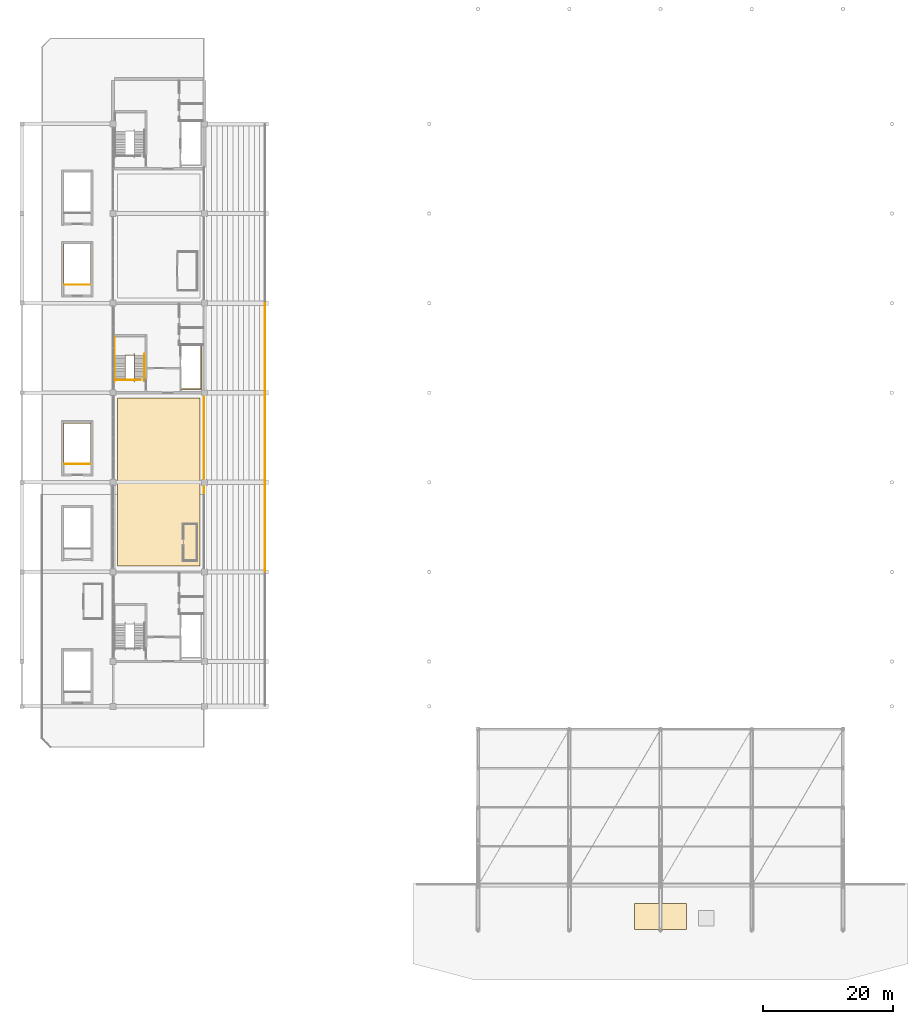
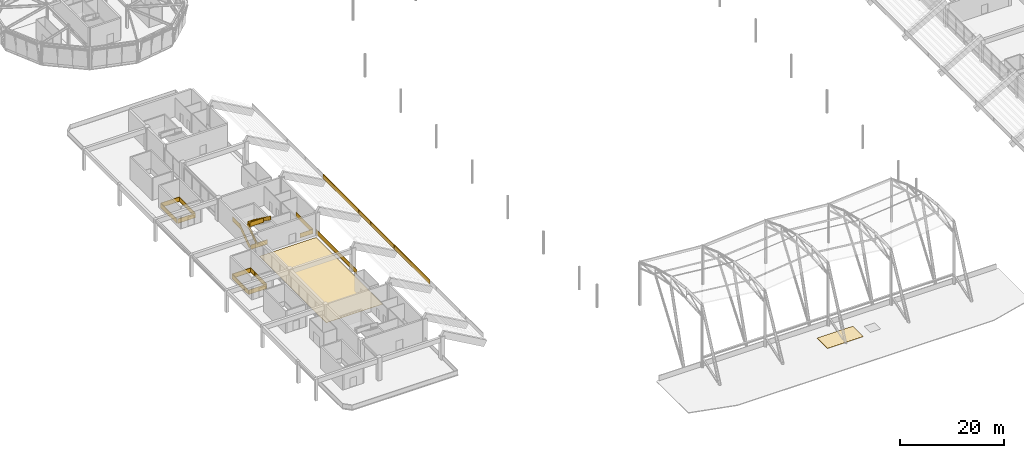
# One storey, part 81 of 90: 13 railings, 2 coverings.
"""IFC4 building model written with IfcOpenShell, lengths in metres."""

from ifc_helpers import new_model, si_unit, direction, frame, origin, origin_2d, place, context, subcontext, project, spatial, polyline, rectangle, outline, extrude, material, layer, layer_set, type_object, element, save


model = new_model("IFC4")

# Units and contexts
model_context = context("Model", 3, precision=1e-05, world=origin(), true_north=direction((0.0, 1.0)))
body_context = subcontext(model_context, "Body", "Model", "MODEL_VIEW")
ifc_project = project(units=[si_unit("LENGTHUNIT", "METRE"), si_unit("AREAUNIT", "SQUARE_METRE"), si_unit("VOLUMEUNIT", "CUBIC_METRE"), si_unit("PLANEANGLEUNIT", "RADIAN"), si_unit("MASSUNIT", "GRAM", prefix="KILO")], contexts=[model_context])

# Site, building, storey
site_placement = place(None, origin())
site = spatial("IfcSite", under=ifc_project, at=site_placement, CompositionType="ELEMENT")
building_placement = place(site_placement, origin())
building = spatial("IfcBuilding", under=site, at=building_placement, Name="Linyun Crest Stadium", CompositionType="ELEMENT")
storey_placement = place(building_placement, frame((0.0, 0.0, 21.0)))
storey = spatial("IfcBuildingStorey", under=building, at=storey_placement, Name="L05", CompositionType="ELEMENT", Elevation=21.0)

# Covering
ifc_material_1 = material(Name="Terrazzo concourse and hospitality floor finish")
ifc_layer_1 = layer(ifc_material_1, 0.02197265625)
ifc_layer_set_1 = layer_set([ifc_layer_1], Name="Terrazzo concourse and hospitality floor finish")
covering_type_1 = type_object("IfcCoveringType", Name="FLR02", PredefinedType="FLOORING", material=ifc_layer_set_1)
covering_1_placement = place(storey_placement, origin())
element("IfcCovering", 1, at=covering_1_placement, inside=storey, type_object=covering_type_1, Name="Terrazzo flooring FLR02 49", PredefinedType="FLOORING", context=body_context, shape_type="SweptSolid", body=[
    extrude(outline(polyline([(-83.300048828125, -24.5), (-70.699951171875, -24.5), (-70.699951171875, 1.300048828125), (-83.300048828125, 1.300048828125), (-83.300048828125, -24.5)])), origin(), (0.0, 0.0, 1.0), 0.02197265625),
])

# Railings
ifc_material_2 = material(Name="Galvanized and powder-coated steel bowl safety barrier", Category="steel")
railing_type_1 = type_object("IfcRailingType", Name="GR02", PredefinedType="GUARDRAIL", material=ifc_material_2)
for number, where, name in (
    (2, (-60.699951171875, -25.294921875, 1.550048828125), "Bowl front safety guard GR02 20"),
    (3, (-60.699951171875, -11.544921875, 1.550048828125), "Bowl front safety guard GR02 28"),
    (4, (-60.699951171875, 2.205078125, 1.550048828125), "Bowl front safety guard GR02 36"),
):
    element("IfcRailing", number, at=place(storey_placement, frame(where)), inside=storey, type_object=railing_type_1, Name=name, PredefinedType="GUARDRAIL", context=body_context, shape_type="SweptSolid", body=[
        extrude(rectangle(XDim=0.06005859375, YDim=0.06005859375, at=origin_2d()), frame((0.0, 0.0, 1.090087890625), z_axis=(0.0, 1.0, 0.0), x_axis=(-1.0, 0.0, 0.0)), (0.0, 0.0, 1.0), 13.58984375),
        extrude(rectangle(XDim=0.030029296875, YDim=1.0, at=origin_2d()), frame((0.0, 0.0, 0.56005859375), z_axis=(0.0, 1.0, 0.0), x_axis=(-1.0, 0.0, 0.0)), (0.0, 0.0, 1.0), 13.58984375),
        extrude(rectangle(XDim=0.06005859375, YDim=0.06005859375, at=origin_2d()), frame((0.0, 0.0, 0.030029296875), z_axis=(0.0, 1.0, 0.0), x_axis=(-1.0, 0.0, 0.0)), (0.0, 0.0, 1.0), 13.58984375),
        extrude(rectangle(XDim=0.050048828125, YDim=0.050048828125, at=origin_2d()), origin(), (0.0, 0.0, 1.0), 1.1201171875),
        extrude(rectangle(XDim=0.050048828125, YDim=0.050048828125, at=origin_2d()), frame((0.0, 2.264892578125, 0.0)), (0.0, 0.0, 1.0), 1.1201171875),
        extrude(rectangle(XDim=0.050048828125, YDim=0.050048828125, at=origin_2d()), frame((0.0, 4.530029296875, 0.0)), (0.0, 0.0, 1.0), 1.1201171875),
        extrude(rectangle(XDim=0.050048828125, YDim=0.050048828125, at=origin_2d()), frame((0.0, 6.794921875, 0.0)), (0.0, 0.0, 1.0), 1.1201171875),
        extrude(rectangle(XDim=0.050048828125, YDim=0.050048828125, at=origin_2d()), frame((0.0, 9.059814453125, 0.0)), (0.0, 0.0, 1.0), 1.1201171875),
        extrude(rectangle(XDim=0.050048828125, YDim=0.050048828125, at=origin_2d()), frame((0.0, 11.324951171875, 0.0)), (0.0, 0.0, 1.0), 1.1201171875),
        extrude(rectangle(XDim=0.050048828125, YDim=0.050048828125, at=origin_2d()), frame((0.0, 13.58984375, 0.0)), (0.0, 0.0, 1.0), 1.1201171875),
    ])
railing_1_placement = place(storey_placement, frame((-70.06005859375, 2.324951171875, 0.0)))
element("IfcRailing", 5, at=railing_1_placement, inside=storey, type_object=railing_type_1, Name="Slab edge balustrade GR02 75", PredefinedType="GUARDRAIL", context=body_context, shape_type="SweptSolid", body=[
    extrude(rectangle(XDim=0.06005859375, YDim=0.06005859375, at=origin_2d()), frame((0.0, 0.0, 1.090087890625), z_axis=(0.0, -1.0, 0.0), x_axis=(1.0, 0.0, 0.0)), (0.0, 0.0, 1.0), 15.655029296875),
    extrude(rectangle(XDim=0.030029296875, YDim=1.0, at=origin_2d()), frame((0.0, 0.0, 0.56005859375), z_axis=(0.0, -1.0, 0.0), x_axis=(1.0, 0.0, 0.0)), (0.0, 0.0, 1.0), 15.655029296875),
    extrude(rectangle(XDim=0.06005859375, YDim=0.06005859375, at=origin_2d()), frame((0.0, 0.0, 0.030029296875), z_axis=(0.0, -1.0, 0.0), x_axis=(1.0, 0.0, 0.0)), (0.0, 0.0, 1.0), 15.655029296875),
    extrude(rectangle(XDim=0.050048828125, YDim=0.050048828125, at=origin_2d()), origin(), (0.0, 0.0, 1.0), 1.1201171875),
    extrude(rectangle(XDim=0.050048828125, YDim=0.050048828125, at=origin_2d()), frame((0.0, -3.913818359375, 0.0)), (0.0, 0.0, 1.0), 1.1201171875),
    extrude(rectangle(XDim=0.050048828125, YDim=0.050048828125, at=origin_2d()), frame((0.0, -7.82763671875, 0.0)), (0.0, 0.0, 1.0), 1.1201171875),
    extrude(rectangle(XDim=0.050048828125, YDim=0.050048828125, at=origin_2d()), frame((0.0, -11.7412109375, 0.0)), (0.0, 0.0, 1.0), 1.1201171875),
    extrude(rectangle(XDim=0.050048828125, YDim=0.050048828125, at=origin_2d()), frame((0.0, -15.655029296875, 0.0)), (0.0, 0.0, 1.0), 1.1201171875),
])
railing_2_placement = place(storey_placement, frame((-73.419921875, 2.715087890625, 0.0)))
element("IfcRailing", 6, at=railing_2_placement, inside=storey, type_object=railing_type_1, Name="Slab edge balustrade GR02 76", PredefinedType="GUARDRAIL", context=body_context, shape_type="SweptSolid", body=[
    extrude(rectangle(XDim=0.06005859375, YDim=0.06005859375, at=origin_2d()), frame((0.0, 0.0, 1.090087890625), z_axis=(1.0, 0.0, 0.0), x_axis=(0.0, 1.0, 0.0)), (0.0, 0.0, 1.0), 2.8798828125),
    extrude(rectangle(XDim=0.030029296875, YDim=1.0, at=origin_2d()), frame((0.0, 0.0, 0.56005859375), z_axis=(1.0, 0.0, 0.0), x_axis=(0.0, 1.0, 0.0)), (0.0, 0.0, 1.0), 2.8798828125),
    extrude(rectangle(XDim=0.06005859375, YDim=0.06005859375, at=origin_2d()), frame((0.0, 0.0, 0.030029296875), z_axis=(1.0, 0.0, 0.0), x_axis=(0.0, 1.0, 0.0)), (0.0, 0.0, 1.0), 2.8798828125),
    extrude(rectangle(XDim=0.06005859375, YDim=0.06005859375, at=origin_2d()), frame((2.8798828125, 0.0, 1.090087890625), z_axis=(0.0, 1.0, 0.0), x_axis=(-1.0, 0.0, 0.0)), (0.0, 0.0, 1.0), 6.5498046875),
    extrude(rectangle(XDim=0.030029296875, YDim=1.0, at=origin_2d()), frame((2.8798828125, 0.0, 0.56005859375), z_axis=(0.0, 1.0, 0.0), x_axis=(-1.0, 0.0, 0.0)), (0.0, 0.0, 1.0), 6.5498046875),
    extrude(rectangle(XDim=0.06005859375, YDim=0.06005859375, at=origin_2d()), frame((2.8798828125, 0.0, 0.030029296875), z_axis=(0.0, 1.0, 0.0), x_axis=(-1.0, 0.0, 0.0)), (0.0, 0.0, 1.0), 6.5498046875),
    extrude(rectangle(XDim=0.050048828125, YDim=0.050048828125, at=origin_2d()), origin(), (0.0, 0.0, 1.0), 1.1201171875),
    extrude(rectangle(XDim=0.050048828125, YDim=0.050048828125, at=origin_2d()), frame((2.8798828125, 0.0, 0.0)), (0.0, 0.0, 1.0), 1.1201171875),
    extrude(rectangle(XDim=0.050048828125, YDim=0.050048828125, at=origin_2d()), frame((2.8798828125, 3.27490234375, 0.0)), (0.0, 0.0, 1.0), 1.1201171875),
    extrude(rectangle(XDim=0.050048828125, YDim=0.050048828125, at=origin_2d()), frame((2.8798828125, 6.5498046875, 0.0)), (0.0, 0.0, 1.0), 1.1201171875),
])
railing_3_placement = place(storey_placement, frame((-83.659912109375, 4.0849609375, 0.0)))
element("IfcRailing", 7, at=railing_3_placement, inside=storey, type_object=railing_type_1, Name="Slab edge balustrade GR02 78", PredefinedType="GUARDRAIL", context=body_context, shape_type="SweptSolid", body=[
    extrude(rectangle(XDim=0.06005859375, YDim=0.06005859375, at=origin_2d()), frame((0.0, 0.0, 1.090087890625), z_axis=(1.0, 0.0, 0.0), x_axis=(0.0, 1.0, 0.0)), (0.0, 0.0, 1.0), 3.760009765625),
    extrude(rectangle(XDim=0.030029296875, YDim=1.0, at=origin_2d()), frame((0.0, 0.0, 0.56005859375), z_axis=(1.0, 0.0, 0.0), x_axis=(0.0, 1.0, 0.0)), (0.0, 0.0, 1.0), 3.760009765625),
    extrude(rectangle(XDim=0.06005859375, YDim=0.06005859375, at=origin_2d()), frame((0.0, 0.0, 0.030029296875), z_axis=(1.0, 0.0, 0.0), x_axis=(0.0, 1.0, 0.0)), (0.0, 0.0, 1.0), 3.760009765625),
    extrude(rectangle(XDim=0.050048828125, YDim=0.050048828125, at=origin_2d()), origin(), (0.0, 0.0, 1.0), 1.1201171875),
    extrude(rectangle(XDim=0.050048828125, YDim=0.050048828125, at=origin_2d()), frame((3.760009765625, 0.0, 0.0)), (0.0, 0.0, 1.0), 1.1201171875),
])
for number, where, name in (
    (8, (-91.4599609375, -8.81005859375, 0.0), "Slab edge balustrade GR02 80"),
    (9, (-91.4599609375, 18.68994140625, 0.0), "Slab edge balustrade GR02 81"),
):
    element("IfcRailing", number, at=place(storey_placement, frame(where)), inside=storey, type_object=railing_type_1, Name=name, PredefinedType="GUARDRAIL", context=body_context, shape_type="SweptSolid", body=[
        extrude(rectangle(XDim=0.06005859375, YDim=0.06005859375, at=origin_2d()), frame((0.0, 0.0, 1.090087890625), z_axis=(1.0, 0.0, 0.0), x_axis=(0.0, 1.0, 0.0)), (0.0, 0.0, 1.0), 3.919921875),
        extrude(rectangle(XDim=0.030029296875, YDim=1.0, at=origin_2d()), frame((0.0, 0.0, 0.56005859375), z_axis=(1.0, 0.0, 0.0), x_axis=(0.0, 1.0, 0.0)), (0.0, 0.0, 1.0), 3.919921875),
        extrude(rectangle(XDim=0.06005859375, YDim=0.06005859375, at=origin_2d()), frame((0.0, 0.0, 0.030029296875), z_axis=(1.0, 0.0, 0.0), x_axis=(0.0, 1.0, 0.0)), (0.0, 0.0, 1.0), 3.919921875),
        extrude(rectangle(XDim=0.050048828125, YDim=0.050048828125, at=origin_2d()), origin(), (0.0, 0.0, 1.0), 1.1201171875),
        extrude(rectangle(XDim=0.050048828125, YDim=0.050048828125, at=origin_2d()), frame((3.919921875, 0.0, 0.0)), (0.0, 0.0, 1.0), 1.1201171875),
    ])
ifc_material_3 = material(Name="Painted steel stairwell safety guard", Category="steel")
railing_type_2 = type_object("IfcRailingType", Name="GR03", PredefinedType="GUARDRAIL", material=ifc_material_3)
railing_4_placement = place(storey_placement, frame((-83.77001953125, 4.114990234375, 0.0)))
element("IfcRailing", 10, at=railing_4_placement, inside=storey, type_object=railing_type_2, Name="STR-02-L05 outer guard", PredefinedType="GUARDRAIL", context=body_context, shape_type="SweptSolid", body=[
    extrude(rectangle(XDim=0.06005859375, YDim=0.06005859375, at=origin_2d()), frame((0.0, 0.0, 1.090087890625), z_axis=(0.0, 0.811539352079, 0.584297766578), x_axis=(-1.0, 0.0, 0.0)), (0.0, 0.0, 1.0), 4.620849609375),
    extrude(rectangle(XDim=0.030029296875, YDim=1.0, at=origin_2d()), frame((0.0, 0.0, 0.56005859375), z_axis=(0.0, 0.811539352079, 0.584297766578), x_axis=(-1.0, 0.0, 0.0)), (0.0, 0.0, 1.0), 4.620849609375),
    extrude(rectangle(XDim=0.06005859375, YDim=0.06005859375, at=origin_2d()), frame((0.0, 0.0, 0.030029296875), z_axis=(0.0, 0.811539352079, 0.584297766578), x_axis=(-1.0, 0.0, 0.0)), (0.0, 0.0, 1.0), 4.620849609375),
    extrude(rectangle(XDim=0.06005859375, YDim=0.06005859375, at=origin_2d()), frame((0.0, 3.75, 3.7900390625), z_axis=(0.0, 1.0, 0.0), x_axis=(-1.0, 0.0, 0.0)), (0.0, 0.0, 1.0), 2.830078125),
    extrude(rectangle(XDim=0.030029296875, YDim=1.0, at=origin_2d()), frame((0.0, 3.75, 3.260009765625), z_axis=(0.0, 1.0, 0.0), x_axis=(-1.0, 0.0, 0.0)), (0.0, 0.0, 1.0), 2.830078125),
    extrude(rectangle(XDim=0.06005859375, YDim=0.06005859375, at=origin_2d()), frame((0.0, 3.75, 2.72998046875), z_axis=(0.0, 1.0, 0.0), x_axis=(-1.0, 0.0, 0.0)), (0.0, 0.0, 1.0), 2.830078125),
    extrude(rectangle(XDim=0.050048828125, YDim=0.050048828125, at=origin_2d()), origin(), (0.0, 0.0, 1.0), 1.1201171875),
    extrude(rectangle(XDim=0.050048828125, YDim=0.050048828125, at=origin_2d()), frame((0.0, 1.25, 0.89990234375)), (0.0, 0.0, 1.0), 1.1201171875),
    extrude(rectangle(XDim=0.050048828125, YDim=0.050048828125, at=origin_2d()), frame((0.0, 2.5, 1.800048828125)), (0.0, 0.0, 1.0), 1.1201171875),
    extrude(rectangle(XDim=0.050048828125, YDim=0.050048828125, at=origin_2d()), frame((0.0, 3.75, 2.699951171875)), (0.0, 0.0, 1.0), 1.1201171875),
    extrude(rectangle(XDim=0.050048828125, YDim=0.050048828125, at=origin_2d()), frame((0.0, 5.1650390625, 2.699951171875)), (0.0, 0.0, 1.0), 1.1201171875),
    extrude(rectangle(XDim=0.050048828125, YDim=0.050048828125, at=origin_2d()), frame((0.0, 6.580078125, 2.699951171875)), (0.0, 0.0, 1.0), 1.1201171875),
])
railing_5_placement = place(storey_placement, frame((-82.1298828125, 4.094970703125, 0.0)))
element("IfcRailing", 11, at=railing_5_placement, inside=storey, type_object=railing_type_2, Name="STR-02-L05 inner well guard", PredefinedType="GUARDRAIL", context=body_context, shape_type="SweptSolid", body=[
    extrude(rectangle(XDim=0.06005859375, YDim=0.06005859375, at=origin_2d()), frame((0.0, 0.0, 1.090087890625), z_axis=(0.0, 0.813010693788, 0.582248754216), x_axis=(-1.0, 0.0, 0.0)), (0.0, 0.0, 1.0), 4.63720703125),
    extrude(rectangle(XDim=0.030029296875, YDim=1.0, at=origin_2d()), frame((0.0, 0.0, 0.56005859375), z_axis=(0.0, 0.813010693788, 0.582248754216), x_axis=(-1.0, 0.0, 0.0)), (0.0, 0.0, 1.0), 4.63720703125),
    extrude(rectangle(XDim=0.06005859375, YDim=0.06005859375, at=origin_2d()), frame((0.0, 0.0, 0.030029296875), z_axis=(0.0, 0.813010693788, 0.582248754216), x_axis=(-1.0, 0.0, 0.0)), (0.0, 0.0, 1.0), 4.63720703125),
    extrude(rectangle(XDim=0.06005859375, YDim=0.06005859375, at=origin_2d()), frame((0.0, 3.77001953125, 3.7900390625), z_axis=(1.0, 0.0, 0.0), x_axis=(0.0, 1.0, 0.0)), (0.0, 0.0, 1.0), 1.35986328125),
    extrude(rectangle(XDim=0.030029296875, YDim=1.0, at=origin_2d()), frame((0.0, 3.77001953125, 3.260009765625), z_axis=(1.0, 0.0, 0.0), x_axis=(0.0, 1.0, 0.0)), (0.0, 0.0, 1.0), 1.35986328125),
    extrude(rectangle(XDim=0.06005859375, YDim=0.06005859375, at=origin_2d()), frame((0.0, 3.77001953125, 2.72998046875), z_axis=(1.0, 0.0, 0.0), x_axis=(0.0, 1.0, 0.0)), (0.0, 0.0, 1.0), 1.35986328125),
    extrude(rectangle(XDim=0.06005859375, YDim=0.06005859375, at=origin_2d()), frame((1.35986328125, 3.77001953125, 3.7900390625), z_axis=(0.0, -0.813010693788, 0.582248754216), x_axis=(1.0, 0.0, 0.0)), (0.0, 0.0, 1.0), 4.63720703125),
    extrude(rectangle(XDim=0.030029296875, YDim=1.0, at=origin_2d()), frame((1.35986328125, 3.77001953125, 3.260009765625), z_axis=(0.0, -0.813010693788, 0.582248754216), x_axis=(1.0, 0.0, 0.0)), (0.0, 0.0, 1.0), 4.63720703125),
    extrude(rectangle(XDim=0.06005859375, YDim=0.06005859375, at=origin_2d()), frame((1.35986328125, 3.77001953125, 2.72998046875), z_axis=(0.0, -0.813010693788, 0.582248754216), x_axis=(1.0, 0.0, 0.0)), (0.0, 0.0, 1.0), 4.63720703125),
    extrude(rectangle(XDim=0.06005859375, YDim=0.06005859375, at=origin_2d()), frame((1.35986328125, 0.0, 6.489990234375), z_axis=(-1.0, 0.0, 0.0), x_axis=(0.0, -1.0, 0.0)), (0.0, 0.0, 1.0), 3.010009765625),
    extrude(rectangle(XDim=0.030029296875, YDim=1.0, at=origin_2d()), frame((1.35986328125, 0.0, 5.9599609375), z_axis=(-1.0, 0.0, 0.0), x_axis=(0.0, -1.0, 0.0)), (0.0, 0.0, 1.0), 3.010009765625),
    extrude(rectangle(XDim=0.06005859375, YDim=0.06005859375, at=origin_2d()), frame((1.35986328125, 0.0, 5.429931640625), z_axis=(-1.0, 0.0, 0.0), x_axis=(0.0, -1.0, 0.0)), (0.0, 0.0, 1.0), 3.010009765625),
    extrude(rectangle(XDim=0.050048828125, YDim=0.050048828125, at=origin_2d()), origin(), (0.0, 0.0, 1.0), 1.1201171875),
    extrude(rectangle(XDim=0.050048828125, YDim=0.050048828125, at=origin_2d()), frame((0.0, 1.256591796875, 0.89990234375)), (0.0, 0.0, 1.0), 1.1201171875),
    extrude(rectangle(XDim=0.050048828125, YDim=0.050048828125, at=origin_2d()), frame((0.0, 2.513427734375, 1.800048828125)), (0.0, 0.0, 1.0), 1.1201171875),
    extrude(rectangle(XDim=0.050048828125, YDim=0.050048828125, at=origin_2d()), frame((0.0, 3.77001953125, 2.699951171875)), (0.0, 0.0, 1.0), 1.1201171875),
    extrude(rectangle(XDim=0.050048828125, YDim=0.050048828125, at=origin_2d()), frame((1.35986328125, 3.77001953125, 2.699951171875)), (0.0, 0.0, 1.0), 1.1201171875),
    extrude(rectangle(XDim=0.050048828125, YDim=0.050048828125, at=origin_2d()), frame((1.35986328125, 2.513427734375, 3.599853515625)), (0.0, 0.0, 1.0), 1.1201171875),
    extrude(rectangle(XDim=0.050048828125, YDim=0.050048828125, at=origin_2d()), frame((1.35986328125, 1.256591796875, 4.5)), (0.0, 0.0, 1.0), 1.1201171875),
    extrude(rectangle(XDim=0.050048828125, YDim=0.050048828125, at=origin_2d()), frame((1.35986328125, 0.0, 5.39990234375)), (0.0, 0.0, 1.0), 1.1201171875),
    extrude(rectangle(XDim=0.050048828125, YDim=0.050048828125, at=origin_2d()), frame((-0.14501953125, 0.0, 5.39990234375)), (0.0, 0.0, 1.0), 1.1201171875),
    extrude(rectangle(XDim=0.050048828125, YDim=0.050048828125, at=origin_2d()), frame((-1.650146484375, 0.0, 5.39990234375)), (0.0, 0.0, 1.0), 1.1201171875),
])
railing_6_placement = place(storey_placement, frame((-91.570068359375, -8.77001953125, 0.0)))
element("IfcRailing", 12, at=railing_6_placement, inside=storey, type_object=railing_type_2, Name="STR-15-L04 top well guard", PredefinedType="GUARDRAIL", context=body_context, shape_type="SweptSolid", body=[
    extrude(rectangle(XDim=0.06005859375, YDim=0.06005859375, at=origin_2d()), frame((0.0, 0.0, 1.090087890625), z_axis=(0.0, 1.0, 0.0), x_axis=(-1.0, 0.0, 0.0)), (0.0, 0.0, 1.0), 6.239990234375),
    extrude(rectangle(XDim=0.030029296875, YDim=1.0, at=origin_2d()), frame((0.0, 0.0, 0.56005859375), z_axis=(0.0, 1.0, 0.0), x_axis=(-1.0, 0.0, 0.0)), (0.0, 0.0, 1.0), 6.239990234375),
    extrude(rectangle(XDim=0.06005859375, YDim=0.06005859375, at=origin_2d()), frame((0.0, 0.0, 0.030029296875), z_axis=(0.0, 1.0, 0.0), x_axis=(-1.0, 0.0, 0.0)), (0.0, 0.0, 1.0), 6.239990234375),
    extrude(rectangle(XDim=0.06005859375, YDim=0.06005859375, at=origin_2d()), frame((0.0, 6.239990234375, 1.090087890625), z_axis=(1.0, 0.0, 0.0), x_axis=(0.0, 1.0, 0.0)), (0.0, 0.0, 1.0), 4.14013671875),
    extrude(rectangle(XDim=0.030029296875, YDim=1.0, at=origin_2d()), frame((0.0, 6.239990234375, 0.56005859375), z_axis=(1.0, 0.0, 0.0), x_axis=(0.0, 1.0, 0.0)), (0.0, 0.0, 1.0), 4.14013671875),
    extrude(rectangle(XDim=0.06005859375, YDim=0.06005859375, at=origin_2d()), frame((0.0, 6.239990234375, 0.030029296875), z_axis=(1.0, 0.0, 0.0), x_axis=(0.0, 1.0, 0.0)), (0.0, 0.0, 1.0), 4.14013671875),
    extrude(rectangle(XDim=0.06005859375, YDim=0.06005859375, at=origin_2d()), frame((4.14013671875, 6.239990234375, 1.090087890625), z_axis=(0.0, -1.0, 0.0), x_axis=(1.0, 0.0, 0.0)), (0.0, 0.0, 1.0), 6.239990234375),
    extrude(rectangle(XDim=0.030029296875, YDim=1.0, at=origin_2d()), frame((4.14013671875, 6.239990234375, 0.56005859375), z_axis=(0.0, -1.0, 0.0), x_axis=(1.0, 0.0, 0.0)), (0.0, 0.0, 1.0), 6.239990234375),
    extrude(rectangle(XDim=0.06005859375, YDim=0.06005859375, at=origin_2d()), frame((4.14013671875, 6.239990234375, 0.030029296875), z_axis=(0.0, -1.0, 0.0), x_axis=(1.0, 0.0, 0.0)), (0.0, 0.0, 1.0), 6.239990234375),
    extrude(rectangle(XDim=0.050048828125, YDim=0.050048828125, at=origin_2d()), origin(), (0.0, 0.0, 1.0), 1.1201171875),
    extrude(rectangle(XDim=0.050048828125, YDim=0.050048828125, at=origin_2d()), frame((0.0, 1.56005859375, 0.0)), (0.0, 0.0, 1.0), 1.1201171875),
    extrude(rectangle(XDim=0.050048828125, YDim=0.050048828125, at=origin_2d()), frame((0.0, 3.1201171875, 0.0)), (0.0, 0.0, 1.0), 1.1201171875),
    extrude(rectangle(XDim=0.050048828125, YDim=0.050048828125, at=origin_2d()), frame((0.0, 4.679931640625, 0.0)), (0.0, 0.0, 1.0), 1.1201171875),
    extrude(rectangle(XDim=0.050048828125, YDim=0.050048828125, at=origin_2d()), frame((0.0, 6.239990234375, 0.0)), (0.0, 0.0, 1.0), 1.1201171875),
    extrude(rectangle(XDim=0.050048828125, YDim=0.050048828125, at=origin_2d()), frame((1.380126953125, 6.239990234375, 0.0)), (0.0, 0.0, 1.0), 1.1201171875),
    extrude(rectangle(XDim=0.050048828125, YDim=0.050048828125, at=origin_2d()), frame((2.760009765625, 6.239990234375, 0.0)), (0.0, 0.0, 1.0), 1.1201171875),
    extrude(rectangle(XDim=0.050048828125, YDim=0.050048828125, at=origin_2d()), frame((4.14013671875, 6.239990234375, 0.0)), (0.0, 0.0, 1.0), 1.1201171875),
    extrude(rectangle(XDim=0.050048828125, YDim=0.050048828125, at=origin_2d()), frame((4.14013671875, 4.679931640625, 0.0)), (0.0, 0.0, 1.0), 1.1201171875),
    extrude(rectangle(XDim=0.050048828125, YDim=0.050048828125, at=origin_2d()), frame((4.14013671875, 3.1201171875, 0.0)), (0.0, 0.0, 1.0), 1.1201171875),
    extrude(rectangle(XDim=0.050048828125, YDim=0.050048828125, at=origin_2d()), frame((4.14013671875, 1.56005859375, 0.0)), (0.0, 0.0, 1.0), 1.1201171875),
    extrude(rectangle(XDim=0.050048828125, YDim=0.050048828125, at=origin_2d()), frame((4.14013671875, 0.0, 0.0)), (0.0, 0.0, 1.0), 1.1201171875),
])
railing_7_placement = place(storey_placement, frame((-91.570068359375, 18.72998046875, 0.0)))
element("IfcRailing", 13, at=railing_7_placement, inside=storey, type_object=railing_type_2, Name="STR-16-L04 top well guard", PredefinedType="GUARDRAIL", context=body_context, shape_type="SweptSolid", body=[
    extrude(rectangle(XDim=0.06005859375, YDim=0.06005859375, at=origin_2d()), frame((0.0, 0.0, 1.090087890625), z_axis=(0.0, 1.0, 0.0), x_axis=(-1.0, 0.0, 0.0)), (0.0, 0.0, 1.0), 6.239990234375),
    extrude(rectangle(XDim=0.030029296875, YDim=1.0, at=origin_2d()), frame((0.0, 0.0, 0.56005859375), z_axis=(0.0, 1.0, 0.0), x_axis=(-1.0, 0.0, 0.0)), (0.0, 0.0, 1.0), 6.239990234375),
    extrude(rectangle(XDim=0.06005859375, YDim=0.06005859375, at=origin_2d()), frame((0.0, 0.0, 0.030029296875), z_axis=(0.0, 1.0, 0.0), x_axis=(-1.0, 0.0, 0.0)), (0.0, 0.0, 1.0), 6.239990234375),
    extrude(rectangle(XDim=0.06005859375, YDim=0.06005859375, at=origin_2d()), frame((0.0, 6.239990234375, 1.090087890625), z_axis=(1.0, 0.0, 0.0), x_axis=(0.0, 1.0, 0.0)), (0.0, 0.0, 1.0), 4.14013671875),
    extrude(rectangle(XDim=0.030029296875, YDim=1.0, at=origin_2d()), frame((0.0, 6.239990234375, 0.56005859375), z_axis=(1.0, 0.0, 0.0), x_axis=(0.0, 1.0, 0.0)), (0.0, 0.0, 1.0), 4.14013671875),
    extrude(rectangle(XDim=0.06005859375, YDim=0.06005859375, at=origin_2d()), frame((0.0, 6.239990234375, 0.030029296875), z_axis=(1.0, 0.0, 0.0), x_axis=(0.0, 1.0, 0.0)), (0.0, 0.0, 1.0), 4.14013671875),
    extrude(rectangle(XDim=0.06005859375, YDim=0.06005859375, at=origin_2d()), frame((4.14013671875, 6.239990234375, 1.090087890625), z_axis=(0.0, -1.0, 0.0), x_axis=(1.0, 0.0, 0.0)), (0.0, 0.0, 1.0), 6.239990234375),
    extrude(rectangle(XDim=0.030029296875, YDim=1.0, at=origin_2d()), frame((4.14013671875, 6.239990234375, 0.56005859375), z_axis=(0.0, -1.0, 0.0), x_axis=(1.0, 0.0, 0.0)), (0.0, 0.0, 1.0), 6.239990234375),
    extrude(rectangle(XDim=0.06005859375, YDim=0.06005859375, at=origin_2d()), frame((4.14013671875, 6.239990234375, 0.030029296875), z_axis=(0.0, -1.0, 0.0), x_axis=(1.0, 0.0, 0.0)), (0.0, 0.0, 1.0), 6.239990234375),
    extrude(rectangle(XDim=0.050048828125, YDim=0.050048828125, at=origin_2d()), origin(), (0.0, 0.0, 1.0), 1.1201171875),
    extrude(rectangle(XDim=0.050048828125, YDim=0.050048828125, at=origin_2d()), frame((0.0, 1.56005859375, 0.0)), (0.0, 0.0, 1.0), 1.1201171875),
    extrude(rectangle(XDim=0.050048828125, YDim=0.050048828125, at=origin_2d()), frame((0.0, 3.1201171875, 0.0)), (0.0, 0.0, 1.0), 1.1201171875),
    extrude(rectangle(XDim=0.050048828125, YDim=0.050048828125, at=origin_2d()), frame((0.0, 4.679931640625, 0.0)), (0.0, 0.0, 1.0), 1.1201171875),
    extrude(rectangle(XDim=0.050048828125, YDim=0.050048828125, at=origin_2d()), frame((0.0, 6.239990234375, 0.0)), (0.0, 0.0, 1.0), 1.1201171875),
    extrude(rectangle(XDim=0.050048828125, YDim=0.050048828125, at=origin_2d()), frame((1.380126953125, 6.239990234375, 0.0)), (0.0, 0.0, 1.0), 1.1201171875),
    extrude(rectangle(XDim=0.050048828125, YDim=0.050048828125, at=origin_2d()), frame((2.760009765625, 6.239990234375, 0.0)), (0.0, 0.0, 1.0), 1.1201171875),
    extrude(rectangle(XDim=0.050048828125, YDim=0.050048828125, at=origin_2d()), frame((4.14013671875, 6.239990234375, 0.0)), (0.0, 0.0, 1.0), 1.1201171875),
    extrude(rectangle(XDim=0.050048828125, YDim=0.050048828125, at=origin_2d()), frame((4.14013671875, 4.679931640625, 0.0)), (0.0, 0.0, 1.0), 1.1201171875),
    extrude(rectangle(XDim=0.050048828125, YDim=0.050048828125, at=origin_2d()), frame((4.14013671875, 3.1201171875, 0.0)), (0.0, 0.0, 1.0), 1.1201171875),
    extrude(rectangle(XDim=0.050048828125, YDim=0.050048828125, at=origin_2d()), frame((4.14013671875, 1.56005859375, 0.0)), (0.0, 0.0, 1.0), 1.1201171875),
    extrude(rectangle(XDim=0.050048828125, YDim=0.050048828125, at=origin_2d()), frame((4.14013671875, 0.0, 0.0)), (0.0, 0.0, 1.0), 1.1201171875),
])
ifc_material_4 = material(Name="Brushed stainless steel tubular handrail", Category="steel")
railing_type_3 = type_object("IfcRailingType", Name="HR01", PredefinedType="HANDRAIL", material=ifc_material_4)
railing_8_placement = place(storey_placement, frame((-79.179931640625, 7.864990234375, 2.699951171875)))
element("IfcRailing", 14, at=railing_8_placement, inside=storey, type_object=railing_type_3, Name="STR-02-L05 handrail", PredefinedType="HANDRAIL", context=body_context, shape_type="SweptSolid", body=[
    extrude(rectangle(XDim=0.06005859375, YDim=0.06005859375, at=origin_2d()), frame((0.0, 0.0, 0.889892578125), z_axis=(0.0, -0.811539352079, 0.584297766578), x_axis=(1.0, 0.0, 0.0)), (0.0, 0.0, 1.0), 4.620849609375),
    extrude(rectangle(XDim=0.030029296875, YDim=0.7998046875, at=origin_2d()), frame((0.0, 0.0, 0.4599609375), z_axis=(0.0, -0.811539352079, 0.584297766578), x_axis=(1.0, 0.0, 0.0)), (0.0, 0.0, 1.0), 4.620849609375),
    extrude(rectangle(XDim=0.06005859375, YDim=0.06005859375, at=origin_2d()), frame((0.0, 0.0, 0.030029296875), z_axis=(0.0, -0.811539352079, 0.584297766578), x_axis=(1.0, 0.0, 0.0)), (0.0, 0.0, 1.0), 4.620849609375),
    extrude(rectangle(XDim=0.050048828125, YDim=0.050048828125, at=origin_2d()), origin(), (0.0, 0.0, 1.0), 0.919921875),
    extrude(rectangle(XDim=0.050048828125, YDim=0.050048828125, at=origin_2d()), frame((0.0, -1.25, 0.89990234375)), (0.0, 0.0, 1.0), 0.919921875),
    extrude(rectangle(XDim=0.050048828125, YDim=0.050048828125, at=origin_2d()), frame((0.0, -2.5, 1.800048828125)), (0.0, 0.0, 1.0), 0.919921875),
    extrude(rectangle(XDim=0.050048828125, YDim=0.050048828125, at=origin_2d()), frame((0.0, -3.75, 2.699951171875)), (0.0, 0.0, 1.0), 0.919921875),
])

# Covering
ifc_material_5 = material(Name="Verdigris standing-seam titanium-zinc roof membrane")
ifc_layer_2 = layer(ifc_material_5, 0.034912109375)
ifc_layer_set_2 = layer_set([ifc_layer_2], Name="Verdigris standing-seam titanium-zinc roof membrane")
covering_type_2 = type_object("IfcCoveringType", Name="RFG01", PredefinedType="ROOFING", material=ifc_layer_set_2)
covering_2_placement = place(storey_placement, origin())
element("IfcCovering", 15, at=covering_2_placement, inside=storey, type_object=covering_type_2, Name="Roof membrane covering RFG01 L05 77", PredefinedType="ROOFING", context=body_context, shape_type="SweptSolid", body=[
    extrude(outline(polyline([(-4.0, -80.23291015625), (4.0, -80.23291015625), (4.0, -76.23291015625), (-4.0, -76.23291015625), (-4.0, -80.23291015625)])), origin(), (0.0, 0.0, 1.0), 0.034912109375),
])

save(model, "model.ifc")
